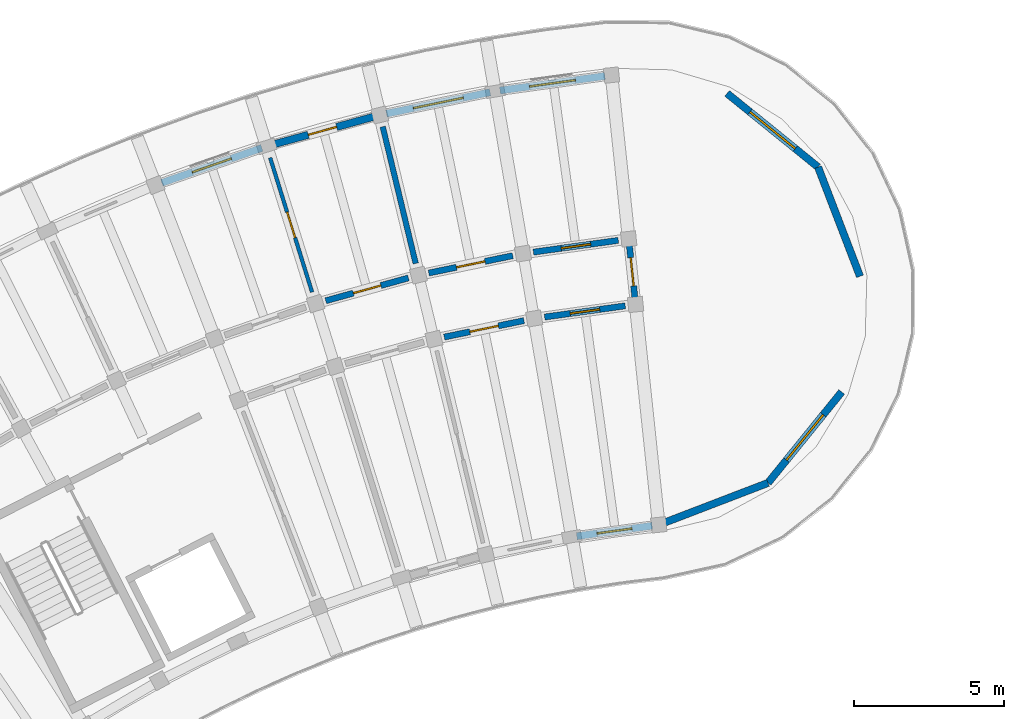
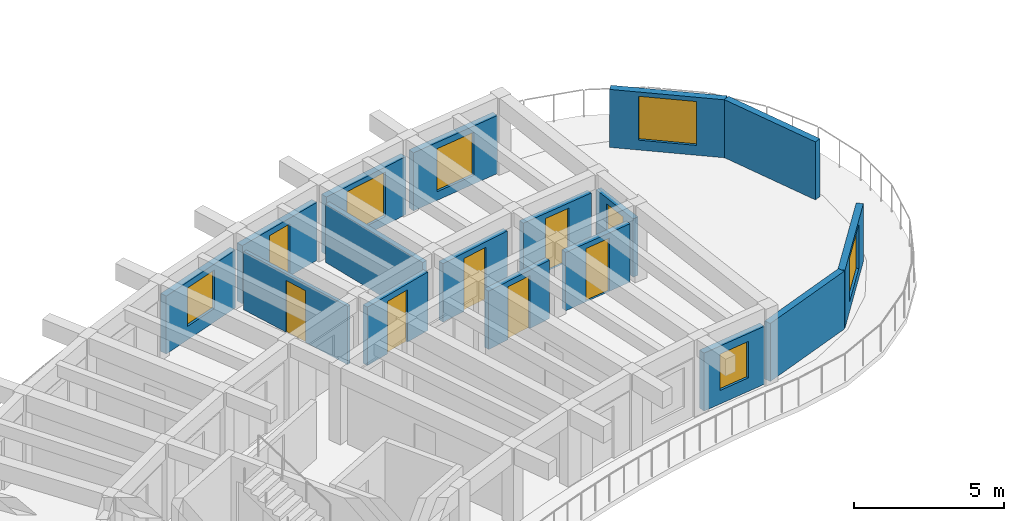
# One storey, part 29 of 56: 17 walls, 8 doors, 6 windows, 14 openings.
"""IFC4 building model written with IfcOpenShell, lengths in metres."""

from ifc_helpers import new_model, si_unit, direction, frame, frame_2d, origin, place, context, subcontext, project, spatial, rectangle, extrude, material, layer, layer_set, type_object, element, fill, save


model = new_model("IFC4")

# Units and contexts
model_context = context("Model", 3, precision=1e-05, world=origin(), true_north=direction((0.0, 1.0)))
body_context = subcontext(model_context, "Body", "Model", "MODEL_VIEW")
ifc_project = project(units=[si_unit("LENGTHUNIT", "METRE"), si_unit("AREAUNIT", "SQUARE_METRE"), si_unit("VOLUMEUNIT", "CUBIC_METRE"), si_unit("PLANEANGLEUNIT", "RADIAN"), si_unit("MASSUNIT", "GRAM", prefix="KILO")], contexts=[model_context])

# Site, building, storey
site_placement = place(None, origin())
site = spatial("IfcSite", under=ifc_project, at=site_placement, CompositionType="ELEMENT")
building_placement = place(site_placement, origin())
building = spatial("IfcBuilding", under=site, at=building_placement, Name="Tanwirah Colonnade Gardens", CompositionType="ELEMENT")
storey_placement = place(building_placement, frame((0.0, 0.0, 29.0)))
storey = spatial("IfcBuildingStorey", under=building, at=storey_placement, Name="L08", CompositionType="ELEMENT", Elevation=29.0)

# Wall, opening, window
ifc_material_1 = material(Name="Limestone architectural precast concrete C40/50", Category="masonry")
ifc_layer_1 = layer(ifc_material_1, 0.2451171875)
ifc_layer_set_1 = layer_set([ifc_layer_1], Name="Limestone architectural precast concrete C40/50")
wall_type_1 = type_object("IfcWallType", Name="EW-PC245", PredefinedType="SOLIDWALL", material=ifc_layer_set_1)
wall_1_placement = place(storey_placement, frame((58.557373046875, 119.3935546875, 0.0), z_axis=(0.0, 0.0, 1.0), x_axis=(-0.990540496422, -0.137220716177, 0.0)))
wall_1 = element("IfcWall", 1, at=wall_1_placement, inside=storey, type_object=wall_type_1, Name="Block A L08 OUT Precast Facade Wall 0", PredefinedType="SOLIDWALL", context=body_context, shape_type="SweptSolid", body=[
    extrude(rectangle(XDim=3.54052734375, YDim=0.2451171875, at=frame_2d((1.770263671875, 0.0))), origin(), (0.0, 0.0, 1.0), 2.35498046875),
])
opening_1_placement = place(wall_1_placement, frame((0.995361328125, 0.0, 0.35009765625)))
opening_1 = element("IfcOpeningElement", 2, at=opening_1_placement, cuts=wall_1, Name="Opening WIN-T09", PredefinedType="OPENING", context=body_context, shape_type="SweptSolid", body=[
    extrude(rectangle(XDim=1.550048828125, YDim=1.75, at=frame_2d((0.77490234375, 0.875))), frame((0.0, 0.132568359375, 0.0), z_axis=(0.0, -1.0, 0.0), x_axis=(1.0, 0.0, 0.0)), (0.0, 0.0, 1.0), 0.26513671875),
])
ifc_material_2 = material(Name="Thermally broken bronze aluminium and solar low-E double glazing", Category="aluminium")
window_type_1 = type_object("IfcWindowType", Name="WIN-T09", PartitioningType="DOUBLE_PANEL_VERTICAL", PredefinedType="WINDOW", material=ifc_material_2)
window_1_placement = place(opening_1_placement, origin())
window_1 = element("IfcWindow", 3, at=window_1_placement, inside=storey, type_object=window_type_1, Name="Facade window A-L08-OUT-00", OverallHeight=1.75, OverallWidth=1.550048828125, PartitioningType="SINGLE_PANEL", PredefinedType="WINDOW", context=body_context, shape_type="SweptSolid", body=[
    extrude(rectangle(XDim=1.550048828125, YDim=1.75, at=frame_2d((0.77490234375, 0.875))), frame((0.0, 0.030029296875, 0.0), z_axis=(0.0, -1.0, 0.0), x_axis=(1.0, 0.0, 0.0)), (0.0, 0.0, 1.0), 0.06005859375),
])
fill(opening_1, window_1)

wall_2_placement = place(storey_placement, frame((60.1357421875, 104.376220703125, 0.0), z_axis=(0.0, 0.0, 1.0), x_axis=(-0.990535426945, -0.137257305699, 0.0)))
wall_2 = element("IfcWall", 4, at=wall_2_placement, inside=storey, type_object=wall_type_1, Name="Block A L08 IN Precast Facade Wall 0", PredefinedType="SOLIDWALL", context=body_context, shape_type="SweptSolid", body=[
    extrude(rectangle(XDim=2.54541015625, YDim=0.2451171875, at=frame_2d((1.272705078125, 0.0))), origin(), (0.0, 0.0, 1.0), 2.35498046875),
])
opening_2_placement = place(wall_2_placement, frame((0.6826171875, 0.0, 0.550048828125)))
opening_2 = element("IfcOpeningElement", 5, at=opening_2_placement, cuts=wall_2, Name="Opening WIN-T16", PredefinedType="OPENING", context=body_context, shape_type="SweptSolid", body=[
    extrude(rectangle(XDim=1.179931640625, YDim=1.47998046875, at=frame_2d((0.58984375, 0.739990234375))), frame((0.0, 0.132568359375, 0.0), z_axis=(0.0, -1.0, 0.0), x_axis=(1.0, 0.0, 0.0)), (0.0, 0.0, 1.0), 0.26513671875),
])
window_type_2 = type_object("IfcWindowType", Name="WIN-T16", PartitioningType="SINGLE_PANEL", PredefinedType="WINDOW", material=ifc_material_2)
window_2_placement = place(opening_2_placement, origin())
window_2 = element("IfcWindow", 6, at=window_2_placement, inside=storey, type_object=window_type_2, Name="Facade window A-L08-IN-00", OverallHeight=1.47998046875, OverallWidth=1.179931640625, PartitioningType="SINGLE_PANEL", PredefinedType="WINDOW", context=body_context, shape_type="SweptSolid", body=[
    extrude(rectangle(XDim=1.179931640625, YDim=1.47998046875, at=frame_2d((0.58984375, 0.739990234375))), frame((0.0, 0.030029296875, 0.0), z_axis=(0.0, -1.0, 0.0), x_axis=(1.0, 0.0, 0.0)), (0.0, 0.0, 1.0), 0.06005859375),
])
fill(opening_2, window_2)

wall_3_placement = place(storey_placement, frame((54.72509765625, 118.8515625, 0.0), z_axis=(0.0, 0.0, 1.0), x_axis=(-0.979336300967, -0.202238496848, 0.0)))
wall_3 = element("IfcWall", 7, at=wall_3_placement, inside=storey, type_object=wall_type_1, Name="Block A L08 OUT Precast Facade Wall 1", PredefinedType="SOLIDWALL", context=body_context, shape_type="SweptSolid", body=[
    extrude(rectangle(XDim=3.540771484375, YDim=0.2451171875, at=frame_2d((1.7705078125, 0.0))), origin(), (0.0, 0.0, 1.0), 2.35498046875),
])
opening_3_placement = place(wall_3_placement, frame((0.92041015625, 0.0, 0.35009765625)))
opening_3 = element("IfcOpeningElement", 8, at=opening_3_placement, cuts=wall_3, Name="Opening WIN-T12", PredefinedType="OPENING", context=body_context, shape_type="SweptSolid", body=[
    extrude(rectangle(XDim=1.699951171875, YDim=1.800048828125, at=frame_2d((0.85009765625, 0.89990234375))), frame((0.0, 0.132568359375, 0.0), z_axis=(0.0, -1.0, 0.0), x_axis=(1.0, 0.0, 0.0)), (0.0, 0.0, 1.0), 0.26513671875),
])
window_type_3 = type_object("IfcWindowType", Name="WIN-T12", PartitioningType="TRIPLE_PANEL_VERTICAL", PredefinedType="WINDOW", material=ifc_material_2)
window_3_placement = place(opening_3_placement, origin())
window_3 = element("IfcWindow", 9, at=window_3_placement, inside=storey, type_object=window_type_3, Name="Facade window A-L08-OUT-01", OverallHeight=1.800048828125, OverallWidth=1.699951171875, PartitioningType="SINGLE_PANEL", PredefinedType="WINDOW", context=body_context, shape_type="SweptSolid", body=[
    extrude(rectangle(XDim=1.699951171875, YDim=1.800048828125, at=frame_2d((0.85009765625, 0.89990234375))), frame((0.0, 0.030029296875, 0.0), z_axis=(0.0, -1.0, 0.0), x_axis=(1.0, 0.0, 0.0)), (0.0, 0.0, 1.0), 0.06005859375),
])
fill(opening_3, window_3)

# Wall, opening, door
wall_4_placement = place(storey_placement, frame((50.830078125, 118.032470703125, 0.0), z_axis=(0.0, 0.0, 1.0), x_axis=(-0.963891366843, -0.266295762125, 0.0)))
wall_4 = element("IfcWall", 10, at=wall_4_placement, inside=storey, type_object=wall_type_1, Name="Block A L08 OUT Precast Facade Wall 2", PredefinedType="SOLIDWALL", context=body_context, shape_type="SweptSolid", body=[
    extrude(rectangle(XDim=3.540771484375, YDim=0.2451171875, at=frame_2d((1.7705078125, 0.0))), origin(), (0.0, 0.0, 1.0), 2.35498046875),
])
opening_4_placement = place(wall_4_placement, frame((1.2802734375, 0.0, 0.0)))
opening_4 = element("IfcOpeningElement", 11, at=opening_4_placement, cuts=wall_4, Name="Opening L08-ED036", PredefinedType="OPENING", context=body_context, shape_type="SweptSolid", body=[
    extrude(rectangle(XDim=0.97998046875, YDim=2.1201171875, at=frame_2d((0.489990234375, 1.06005859375))), frame((0.0, 0.132568359375, 0.0), z_axis=(0.0, -1.0, 0.0), x_axis=(1.0, 0.0, 0.0)), (0.0, 0.0, 1.0), 0.26513671875),
])
ifc_material_3 = material(Name="Bronze aluminium glazed balcony door", Category="aluminium")
door_type_1 = type_object("IfcDoorType", Name="ED-BAL098", OperationType="NOTDEFINED", PredefinedType="DOOR", material=ifc_material_3)
door_1_placement = place(opening_4_placement, origin())
door_1 = element("IfcDoor", 12, at=door_1_placement, inside=storey, type_object=door_type_1, Name="Balcony glazed door L08-ED036", OperationType="SINGLE_SWING_LEFT", OverallHeight=2.1201171875, OverallWidth=0.97998046875, PredefinedType="DOOR", context=body_context, shape_type="SweptSolid", body=[
    extrude(rectangle(XDim=0.97998046875, YDim=2.1201171875, at=frame_2d((0.489990234375, 1.06005859375))), frame((0.0, 0.02490234375, 0.0), z_axis=(0.0, -1.0, 0.0), x_axis=(1.0, 0.0, 0.0)), (0.0, 0.0, 1.0), 0.050048828125),
])
fill(opening_4, door_1)

# Wall, opening, window
wall_5_placement = place(storey_placement, frame((47.1025390625, 116.991455078125, 0.0), z_axis=(0.0, 0.0, 1.0), x_axis=(-0.944250036963, -0.329229202373, 0.0)))
wall_5 = element("IfcWall", 13, at=wall_5_placement, inside=storey, type_object=wall_type_1, Name="Block A L08 OUT Precast Facade Wall 3", PredefinedType="SOLIDWALL", context=body_context, shape_type="SweptSolid", body=[
    extrude(rectangle(XDim=3.541015625, YDim=0.2451171875, at=frame_2d((1.7705078125, 0.0))), origin(), (0.0, 0.0, 1.0), 2.35498046875),
])
opening_5_placement = place(wall_5_placement, frame((1.080322265625, 0.0, 0.550048828125)))
opening_5 = element("IfcOpeningElement", 14, at=opening_5_placement, cuts=wall_5, Name="Opening WIN-T18", PredefinedType="OPENING", context=body_context, shape_type="SweptSolid", body=[
    extrude(rectangle(XDim=1.3798828125, YDim=1.56005859375, at=frame_2d((0.68994140625, 0.780029296875))), frame((0.0, 0.132568359375, 0.0), z_axis=(0.0, -1.0, 0.0), x_axis=(1.0, 0.0, 0.0)), (0.0, 0.0, 1.0), 0.26513671875),
])
window_type_4 = type_object("IfcWindowType", Name="WIN-T18", PartitioningType="DOUBLE_PANEL_VERTICAL", PredefinedType="WINDOW", material=ifc_material_2)
window_4_placement = place(opening_5_placement, origin())
window_4 = element("IfcWindow", 15, at=window_4_placement, inside=storey, type_object=window_type_4, Name="Facade window A-L08-OUT-03", OverallHeight=1.56005859375, OverallWidth=1.3798828125, PartitioningType="SINGLE_PANEL", PredefinedType="WINDOW", context=body_context, shape_type="SweptSolid", body=[
    extrude(rectangle(XDim=1.3798828125, YDim=1.56005859375, at=frame_2d((0.68994140625, 0.780029296875))), frame((0.0, 0.030029296875, 0.0), z_axis=(0.0, -1.0, 0.0), x_axis=(1.0, 0.0, 0.0)), (0.0, 0.0, 1.0), 0.06005859375),
])
fill(opening_5, window_4)

wall_6_placement = place(storey_placement, frame((62.635498046875, 118.8125, 0.0), z_axis=(0.0, 0.0, 1.0), x_axis=(0.777137204109, -0.629331205321, 0.0)))
wall_6 = element("IfcWall", 16, at=wall_6_placement, inside=storey, type_object=wall_type_1, Name="Block A L08 START Rounded End Wall 1", PredefinedType="SOLIDWALL", context=body_context, shape_type="SweptSolid", body=[
    extrude(rectangle(XDim=3.907958984375, YDim=0.2451171875, at=frame_2d((1.9541015625, 0.0))), origin(), (0.0, 0.0, 1.0), 2.35498046875),
])
opening_6_placement = place(wall_6_placement, frame((0.97900390625, 0.0, 0.39990234375)))
opening_6 = element("IfcOpeningElement", 17, at=opening_6_placement, cuts=wall_6, Name="Opening WIN-END2", PredefinedType="OPENING", context=body_context, shape_type="SweptSolid", body=[
    extrude(rectangle(XDim=1.949951171875, YDim=1.780029296875, at=frame_2d((0.97509765625, 0.89013671875))), frame((0.0, 0.132568359375, 0.0), z_axis=(0.0, -1.0, 0.0), x_axis=(1.0, 0.0, 0.0)), (0.0, 0.0, 1.0), 0.26513671875),
])
window_type_5 = type_object("IfcWindowType", Name="WIN-END2", PartitioningType="TRIPLE_PANEL_VERTICAL", PredefinedType="WINDOW", material=ifc_material_2)
window_5_placement = place(opening_6_placement, origin())
window_5 = element("IfcWindow", 18, at=window_5_placement, inside=storey, type_object=window_type_5, Name="Rounded corner window A-L08-START-1", OverallHeight=1.780029296875, OverallWidth=1.949951171875, PartitioningType="SINGLE_PANEL", PredefinedType="WINDOW", context=body_context, shape_type="SweptSolid", body=[
    extrude(rectangle(XDim=1.949951171875, YDim=1.780029296875, at=frame_2d((0.97509765625, 0.89013671875))), frame((0.0, 0.030029296875, 0.0), z_axis=(0.0, -1.0, 0.0), x_axis=(1.0, 0.0, 0.0)), (0.0, 0.0, 1.0), 0.06005859375),
])
fill(opening_6, window_5)

# Wall
wall_7_placement = place(storey_placement, frame((65.672607421875, 116.35302734375, 0.0), z_axis=(0.0, 0.0, 1.0), x_axis=(0.358376224971, -0.933577249817, 0.0)))
element("IfcWall", 19, at=wall_7_placement, inside=storey, type_object=wall_type_1, Name="Block A L08 START Rounded End Wall 2", PredefinedType="SOLIDWALL", context=body_context, shape_type="SweptSolid", body=[
    extrude(rectangle(XDim=3.908203125, YDim=0.2451171875, at=frame_2d((1.9541015625, 0.0))), origin(), (0.0, 0.0, 1.0), 2.35498046875),
])

# Wall, opening, window
wall_8_placement = place(storey_placement, frame((66.461669921875, 108.84423828125, 0.0), z_axis=(0.0, 0.0, 1.0), x_axis=(-0.629331205321, -0.777137204109, 0.0)))
wall_8 = element("IfcWall", 20, at=wall_8_placement, inside=storey, type_object=wall_type_1, Name="Block A L08 START Rounded End Wall 4", PredefinedType="SOLIDWALL", context=body_context, shape_type="SweptSolid", body=[
    extrude(rectangle(XDim=3.907958984375, YDim=0.2451171875, at=frame_2d((1.9541015625, 0.0))), origin(), (0.0, 0.0, 1.0), 2.35498046875),
])
opening_7_placement = place(wall_8_placement, frame((0.97900390625, 0.0, 0.39990234375)))
opening_7 = element("IfcOpeningElement", 21, at=opening_7_placement, cuts=wall_8, Name="Opening WIN-END2", PredefinedType="OPENING", context=body_context, shape_type="SweptSolid", body=[
    extrude(rectangle(XDim=1.949951171875, YDim=1.780029296875, at=frame_2d((0.97509765625, 0.89013671875))), frame((0.0, 0.132568359375, 0.0), z_axis=(0.0, -1.0, 0.0), x_axis=(1.0, 0.0, 0.0)), (0.0, 0.0, 1.0), 0.26513671875),
])
window_6_placement = place(opening_7_placement, origin())
window_6 = element("IfcWindow", 22, at=window_6_placement, inside=storey, type_object=window_type_5, Name="Rounded corner window A-L08-START-4", OverallHeight=1.780029296875, OverallWidth=1.949951171875, PartitioningType="SINGLE_PANEL", PredefinedType="WINDOW", context=body_context, shape_type="SweptSolid", body=[
    extrude(rectangle(XDim=1.949951171875, YDim=1.780029296875, at=frame_2d((0.97509765625, 0.89013671875))), frame((0.0, 0.030029296875, 0.0), z_axis=(0.0, -1.0, 0.0), x_axis=(1.0, 0.0, 0.0)), (0.0, 0.0, 1.0), 0.06005859375),
])
fill(opening_7, window_6)

# Wall
wall_9_placement = place(storey_placement, frame((64.002197265625, 105.80712890625, 0.0), z_axis=(0.0, 0.0, 1.0), x_axis=(-0.93356922619, -0.35839712598, 0.0)))
element("IfcWall", 23, at=wall_9_placement, inside=storey, type_object=wall_type_1, Name="Block A L08 START Rounded End Wall 5", PredefinedType="SOLIDWALL", context=body_context, shape_type="SweptSolid", body=[
    extrude(rectangle(XDim=3.907958984375, YDim=0.2451171875, at=frame_2d((1.9541015625, 0.0))), origin(), (0.0, 0.0, 1.0), 2.35498046875),
])

# Wall, opening, door
ifc_material_4 = material(Name="Precast concrete C40/50", Category="concrete")
ifc_layer_2 = layer(ifc_material_4, 0.205078125)
ifc_layer_set_2 = layer_set([ifc_layer_2], Name="Precast concrete C40/50")
wall_type_2 = type_object("IfcWallType", Name="IW-CORR205", PredefinedType="PARTITIONING", material=ifc_layer_set_2)
wall_10_placement = place(storey_placement, frame((59.003662109375, 113.90576171875, 0.0), z_axis=(0.0, 0.0, 1.0), x_axis=(-0.990544162976, -0.137194246211, 0.0)))
wall_10 = element("IfcWall", 24, at=wall_10_placement, inside=storey, type_object=wall_type_2, Name="Block A L08 OUT Corridor Wall 0", PredefinedType="PARTITIONING", context=body_context, shape_type="SweptSolid", body=[
    extrude(rectangle(XDim=2.86328125, YDim=0.205078125, at=frame_2d((1.431640625, 0.0))), origin(), (0.0, 0.0, 1.0), 2.3701171875),
])
opening_8_placement = place(wall_10_placement, frame((0.9365234375, 0.0, 0.0)))
opening_8 = element("IfcOpeningElement", 25, at=opening_8_placement, cuts=wall_10, Name="Opening L08-AD557", PredefinedType="OPENING", context=body_context, shape_type="SweptSolid", body=[
    extrude(rectangle(XDim=0.989990234375, YDim=2.159912109375, at=frame_2d((0.4951171875, 1.080078125))), frame((0.0, 0.112548828125, 0.0), z_axis=(0.0, -1.0, 0.0), x_axis=(1.0, 0.0, 0.0)), (0.0, 0.0, 1.0), 0.22509765625),
])
ifc_material_5 = material(Name="Solid oak fire-resisting apartment entrance door")
door_type_2 = type_object("IfcDoorType", Name="ID-FLT099", OperationType="NOTDEFINED", PredefinedType="DOOR", material=ifc_material_5)
door_2_placement = place(opening_8_placement, origin())
door_2 = element("IfcDoor", 26, at=door_2_placement, inside=storey, type_object=door_type_2, Name="Apartment corridor door L08-AD557", OperationType="SINGLE_SWING_LEFT", OverallHeight=2.159912109375, OverallWidth=0.989990234375, PredefinedType="DOOR", context=body_context, shape_type="SweptSolid", body=[
    extrude(rectangle(XDim=0.989990234375, YDim=2.159912109375, at=frame_2d((0.4951171875, 1.080078125))), frame((0.0, 0.02490234375, 0.0), z_axis=(0.0, -1.0, 0.0), x_axis=(1.0, 0.0, 0.0)), (0.0, 0.0, 1.0), 0.050048828125),
])
fill(opening_8, door_2)

wall_11_placement = place(storey_placement, frame((59.2333984375, 111.718017578125, 0.0), z_axis=(0.0, 0.0, 1.0), x_axis=(-0.990535404475, -0.137257467855, 0.0)))
wall_11 = element("IfcWall", 27, at=wall_11_placement, inside=storey, type_object=wall_type_2, Name="Block A L08 IN Corridor Wall 0", PredefinedType="PARTITIONING", context=body_context, shape_type="SweptSolid", body=[
    extrude(rectangle(XDim=2.7177734375, YDim=0.205078125, at=frame_2d((1.35888671875, 0.0))), origin(), (0.0, 0.0, 1.0), 2.3701171875),
])
opening_9_placement = place(wall_11_placement, frame((0.864013671875, 0.0, 0.0)))
opening_9 = element("IfcOpeningElement", 28, at=opening_9_placement, cuts=wall_11, Name="Opening L08-AD558", PredefinedType="OPENING", context=body_context, shape_type="SweptSolid", body=[
    extrude(rectangle(XDim=0.989990234375, YDim=2.159912109375, at=frame_2d((0.4951171875, 1.080078125))), frame((0.0, 0.112548828125, 0.0), z_axis=(0.0, -1.0, 0.0), x_axis=(1.0, 0.0, 0.0)), (0.0, 0.0, 1.0), 0.22509765625),
])
door_3_placement = place(opening_9_placement, origin())
door_3 = element("IfcDoor", 29, at=door_3_placement, inside=storey, type_object=door_type_2, Name="Apartment corridor door L08-AD558", OperationType="SINGLE_SWING_RIGHT", OverallHeight=2.159912109375, OverallWidth=0.989990234375, PredefinedType="DOOR", context=body_context, shape_type="SweptSolid", body=[
    extrude(rectangle(XDim=0.989990234375, YDim=2.159912109375, at=frame_2d((0.4951171875, 1.080078125))), frame((0.0, 0.02490234375, 0.0), z_axis=(0.0, -1.0, 0.0), x_axis=(1.0, 0.0, 0.0)), (0.0, 0.0, 1.0), 0.050048828125),
])
fill(opening_9, door_3)

wall_12_placement = place(storey_placement, frame((55.47802734375, 113.39404296875, 0.0), z_axis=(0.0, 0.0, 1.0), x_axis=(-0.979348418612, -0.202179808492, 0.0)))
wall_12 = element("IfcWall", 30, at=wall_12_placement, inside=storey, type_object=wall_type_2, Name="Block A L08 OUT Corridor Wall 1", PredefinedType="PARTITIONING", context=body_context, shape_type="SweptSolid", body=[
    extrude(rectangle(XDim=2.863037109375, YDim=0.205078125, at=frame_2d((1.431640625, 0.0))), origin(), (0.0, 0.0, 1.0), 2.3701171875),
])
opening_10_placement = place(wall_12_placement, frame((0.946533203125, 0.0, 0.0)))
opening_10 = element("IfcOpeningElement", 31, at=opening_10_placement, cuts=wall_12, Name="Opening L08-AD559", PredefinedType="OPENING", context=body_context, shape_type="SweptSolid", body=[
    extrude(rectangle(XDim=0.969970703125, YDim=2.14990234375, at=frame_2d((0.48486328125, 1.074951171875))), frame((0.0, 0.112548828125, 0.0), z_axis=(0.0, -1.0, 0.0), x_axis=(1.0, 0.0, 0.0)), (0.0, 0.0, 1.0), 0.22509765625),
])
door_type_3 = type_object("IfcDoorType", Name="ID-FLT097", OperationType="NOTDEFINED", PredefinedType="DOOR", material=ifc_material_5)
door_4_placement = place(opening_10_placement, origin())
door_4 = element("IfcDoor", 32, at=door_4_placement, inside=storey, type_object=door_type_3, Name="Apartment corridor door L08-AD559", OperationType="SINGLE_SWING_RIGHT", OverallHeight=2.14990234375, OverallWidth=0.969970703125, PredefinedType="DOOR", context=body_context, shape_type="SweptSolid", body=[
    extrude(rectangle(XDim=0.969970703125, YDim=2.14990234375, at=frame_2d((0.48486328125, 1.074951171875))), frame((0.0, 0.02490234375, 0.0), z_axis=(0.0, -1.0, 0.0), x_axis=(1.0, 0.0, 0.0)), (0.0, 0.0, 1.0), 0.050048828125),
])
fill(opening_10, door_4)

wall_13_placement = place(storey_placement, frame((55.851806640625, 111.22607421875, 0.0), z_axis=(0.0, 0.0, 1.0), x_axis=(-0.979349423541, -0.202174940608, 0.0)))
wall_13 = element("IfcWall", 33, at=wall_13_placement, inside=storey, type_object=wall_type_2, Name="Block A L08 IN Corridor Wall 1", PredefinedType="PARTITIONING", context=body_context, shape_type="SweptSolid", body=[
    extrude(rectangle(XDim=2.71826171875, YDim=0.205078125, at=frame_2d((1.359130859375, 0.0))), origin(), (0.0, 0.0, 1.0), 2.3701171875),
])
opening_11_placement = place(wall_13_placement, frame((0.8740234375, 0.0, 0.0)))
opening_11 = element("IfcOpeningElement", 34, at=opening_11_placement, cuts=wall_13, Name="Opening L08-AD560", PredefinedType="OPENING", context=body_context, shape_type="SweptSolid", body=[
    extrude(rectangle(XDim=0.969970703125, YDim=2.14990234375, at=frame_2d((0.48486328125, 1.074951171875))), frame((0.0, 0.112548828125, 0.0), z_axis=(0.0, -1.0, 0.0), x_axis=(1.0, 0.0, 0.0)), (0.0, 0.0, 1.0), 0.22509765625),
])
door_5_placement = place(opening_11_placement, origin())
door_5 = element("IfcDoor", 35, at=door_5_placement, inside=storey, type_object=door_type_3, Name="Apartment corridor door L08-AD560", OperationType="SINGLE_SWING_LEFT", OverallHeight=2.14990234375, OverallWidth=0.969970703125, PredefinedType="DOOR", context=body_context, shape_type="SweptSolid", body=[
    extrude(rectangle(XDim=0.969970703125, YDim=2.14990234375, at=frame_2d((0.48486328125, 1.074951171875))), frame((0.0, 0.02490234375, 0.0), z_axis=(0.0, -1.0, 0.0), x_axis=(1.0, 0.0, 0.0)), (0.0, 0.0, 1.0), 0.050048828125),
])
fill(opening_11, door_5)

wall_14_placement = place(storey_placement, frame((51.993896484375, 112.651123046875, 0.0), z_axis=(0.0, 0.0, 1.0), x_axis=(-0.963890789093, -0.266297853356, 0.0)))
wall_14 = element("IfcWall", 36, at=wall_14_placement, inside=storey, type_object=wall_type_2, Name="Block A L08 OUT Corridor Wall 2", PredefinedType="PARTITIONING", context=body_context, shape_type="SweptSolid", body=[
    extrude(rectangle(XDim=2.863037109375, YDim=0.205078125, at=frame_2d((1.431640625, 0.0))), origin(), (0.0, 0.0, 1.0), 2.3701171875),
])
opening_12_placement = place(wall_14_placement, frame((0.95654296875, 0.0, 0.0)))
opening_12 = element("IfcOpeningElement", 37, at=opening_12_placement, cuts=wall_14, Name="Opening L08-AD562", PredefinedType="OPENING", context=body_context, shape_type="SweptSolid", body=[
    extrude(rectangle(XDim=0.949951171875, YDim=2.1298828125, at=frame_2d((0.47509765625, 1.06494140625))), frame((0.0, 0.112548828125, 0.0), z_axis=(0.0, -1.0, 0.0), x_axis=(1.0, 0.0, 0.0)), (0.0, 0.0, 1.0), 0.22509765625),
])
door_type_4 = type_object("IfcDoorType", Name="ID-FLT095", OperationType="NOTDEFINED", PredefinedType="DOOR", material=ifc_material_5)
door_6_placement = place(opening_12_placement, origin())
door_6 = element("IfcDoor", 38, at=door_6_placement, inside=storey, type_object=door_type_4, Name="Apartment corridor door L08-AD562", OperationType="SINGLE_SWING_LEFT", OverallHeight=2.1298828125, OverallWidth=0.949951171875, PredefinedType="DOOR", context=body_context, shape_type="SweptSolid", body=[
    extrude(rectangle(XDim=0.949951171875, YDim=2.1298828125, at=frame_2d((0.47509765625, 1.06494140625))), frame((0.0, 0.02490234375, 0.0), z_axis=(0.0, -1.0, 0.0), x_axis=(1.0, 0.0, 0.0)), (0.0, 0.0, 1.0), 0.050048828125),
])
fill(opening_12, door_6)

wall_15_placement = place(storey_placement, frame((59.574951171875, 111.815673828125, 0.0), z_axis=(0.0, 0.0, 1.0), x_axis=(-0.104509292252, 0.994523910136, 0.0)))
wall_15 = element("IfcWall", 39, at=wall_15_placement, inside=storey, type_object=wall_type_2, Name="Block A L08 CS Corner Suite Corridor Wall", PredefinedType="PARTITIONING", context=body_context, shape_type="SweptSolid", body=[
    extrude(rectangle(XDim=2.10009765625, YDim=0.205078125, at=frame_2d((1.050048828125, 0.0))), origin(), (0.0, 0.0, 1.0), 2.3701171875),
])
opening_13_placement = place(wall_15_placement, frame((0.570068359375, 0.0, 0.0)))
opening_13 = element("IfcOpeningElement", 40, at=opening_13_placement, cuts=wall_15, Name="Opening L08-CD596", PredefinedType="OPENING", context=body_context, shape_type="SweptSolid", body=[
    extrude(rectangle(XDim=0.949951171875, YDim=2.1298828125, at=frame_2d((0.47509765625, 1.06494140625))), frame((0.0, 0.112548828125, 0.0), z_axis=(0.0, -1.0, 0.0), x_axis=(1.0, 0.0, 0.0)), (0.0, 0.0, 1.0), 0.22509765625),
])
door_7_placement = place(opening_13_placement, origin())
door_7 = element("IfcDoor", 41, at=door_7_placement, inside=storey, type_object=door_type_4, Name="Corner suite entrance door L08-CD596", OperationType="SINGLE_SWING_LEFT", OverallHeight=2.1298828125, OverallWidth=0.949951171875, PredefinedType="DOOR", context=body_context, shape_type="SweptSolid", body=[
    extrude(rectangle(XDim=0.949951171875, YDim=2.1298828125, at=frame_2d((0.47509765625, 1.06494140625))), frame((0.0, 0.02490234375, 0.0), z_axis=(0.0, -1.0, 0.0), x_axis=(1.0, 0.0, 0.0)), (0.0, 0.0, 1.0), 0.050048828125),
])
fill(opening_13, door_7)

# Wall
ifc_layer_3 = layer(ifc_material_4, 0.18505859375)
ifc_layer_set_3 = layer_set([ifc_layer_3], Name="Precast concrete C40/50")
wall_type_3 = type_object("IfcWallType", Name="IW-DEM185", PredefinedType="PARTITIONING", material=ifc_layer_set_3)
wall_16_placement = place(storey_placement, frame((52.237548828125, 113.13330078125, 0.0), z_axis=(0.0, 0.0, 1.0), x_axis=(-0.234386624934, 0.972143461662, 0.0)))
element("IfcWall", 42, at=wall_16_placement, inside=storey, type_object=wall_type_3, Name="Block A L08 Radial Partition 1", PredefinedType="PARTITIONING", context=body_context, shape_type="SweptSolid", body=[
    extrude(rectangle(XDim=4.69970703125, YDim=0.18505859375, at=frame_2d((2.349853515625, 0.0))), origin(), (0.0, 0.0, 1.0), 2.3701171875),
])

# Wall, opening, door
ifc_material_6 = material(Name="Moisture-resistant gypsum stud partition")
ifc_layer_4 = layer(ifc_material_6, 0.125)
ifc_layer_set_4 = layer_set([ifc_layer_4], Name="Moisture-resistant gypsum stud partition")
wall_type_4 = type_object("IfcWallType", Name="IW-INT125", PredefinedType="PARTITIONING", material=ifc_layer_set_4)
wall_17_placement = place(storey_placement, frame((48.777587890625, 112.17724609375, 0.0), z_axis=(0.0, 0.0, 1.0), x_axis=(-0.297905254614, 0.954595442726, 0.0)))
wall_17 = element("IfcWall", 43, at=wall_17_placement, inside=storey, type_object=wall_type_4, Name="Block A L08 Radial Partition 2", PredefinedType="PARTITIONING", context=body_context, shape_type="SweptSolid", body=[
    extrude(rectangle(XDim=4.699951171875, YDim=0.125, at=frame_2d((2.35009765625, 0.0))), origin(), (0.0, 0.0, 1.0), 2.3701171875),
])
opening_14_placement = place(wall_17_placement, frame((1.905029296875, 0.0, 0.0)))
opening_14 = element("IfcOpeningElement", 44, at=opening_14_placement, cuts=wall_17, Name="Opening L08-RD564", PredefinedType="OPENING", context=body_context, shape_type="SweptSolid", body=[
    extrude(rectangle(XDim=0.889892578125, YDim=2.10009765625, at=frame_2d((0.44482421875, 1.050048828125))), frame((0.0, 0.072509765625, 0.0), z_axis=(0.0, -1.0, 0.0), x_axis=(1.0, 0.0, 0.0)), (0.0, 0.0, 1.0), 0.14501953125),
])
ifc_material_7 = material(Name="Painted hardwood bedroom door", Category="wood")
door_type_5 = type_object("IfcDoorType", Name="ID-RM089", OperationType="NOTDEFINED", PredefinedType="DOOR", material=ifc_material_7)
door_8_placement = place(opening_14_placement, origin())
door_8 = element("IfcDoor", 45, at=door_8_placement, inside=storey, type_object=door_type_5, Name="Internal apartment door L08-RD564", OperationType="SINGLE_SWING_LEFT", OverallHeight=2.10009765625, OverallWidth=0.889892578125, PredefinedType="DOOR", context=body_context, shape_type="SweptSolid", body=[
    extrude(rectangle(XDim=0.889892578125, YDim=2.10009765625, at=frame_2d((0.44482421875, 1.050048828125))), frame((0.0, 0.02490234375, 0.0), z_axis=(0.0, -1.0, 0.0), x_axis=(1.0, 0.0, 0.0)), (0.0, 0.0, 1.0), 0.050048828125),
])
fill(opening_14, door_8)

save(model, "model.ifc")
